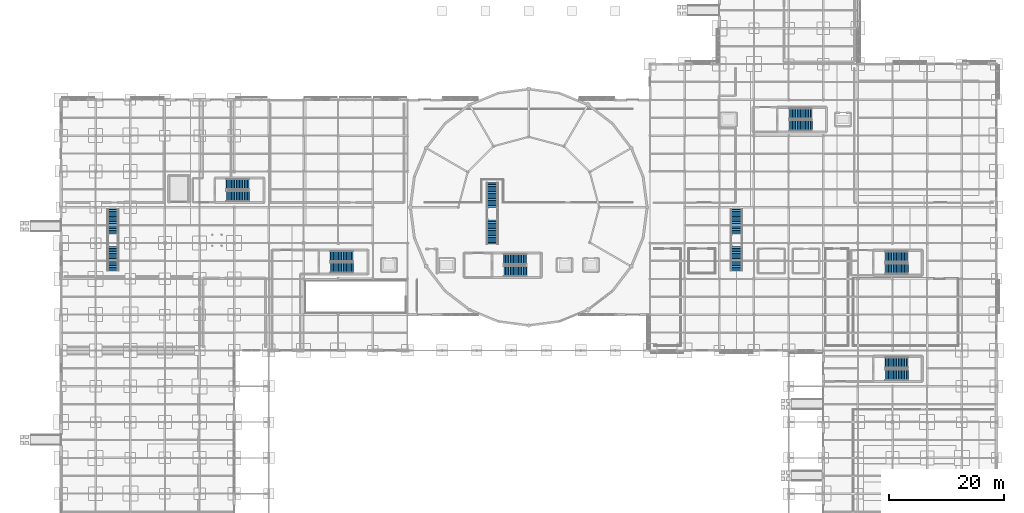
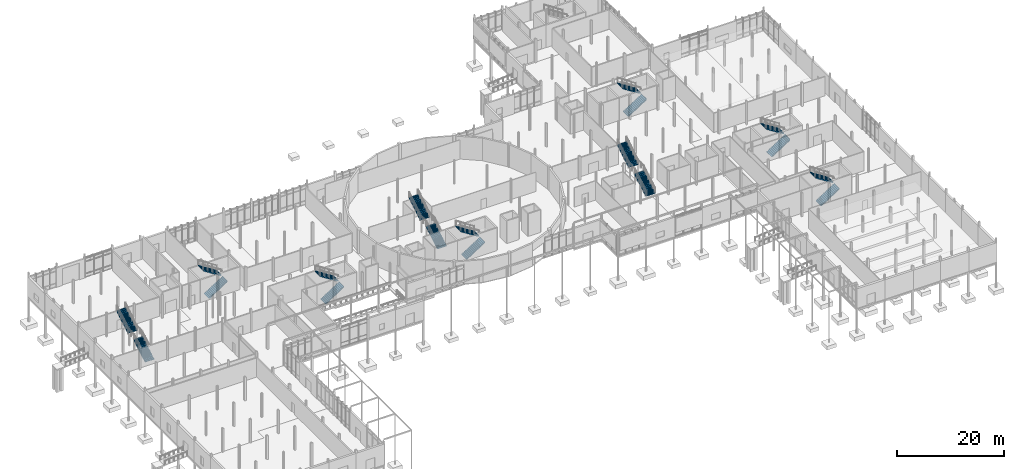
# One storey, part 75 of 98: 18 stair flights, 9 elements without a shape of their own.
"""IFC4 building model written with IfcOpenShell, lengths in metres."""

from ifc_helpers import new_model, si_unit, direction, frame, origin, place, context, subcontext, project, spatial, polyline, outline, extrude, material, type_object, element, aggregate, save


model = new_model("IFC4")

# Units and contexts
model_context = context("Model", 3, precision=1e-05, world=origin(), true_north=direction((0.0, 1.0)))
body_context = subcontext(model_context, "Body", "Model", "MODEL_VIEW")
ifc_project = project(units=[si_unit("LENGTHUNIT", "METRE"), si_unit("AREAUNIT", "SQUARE_METRE"), si_unit("VOLUMEUNIT", "CUBIC_METRE"), si_unit("PLANEANGLEUNIT", "RADIAN"), si_unit("MASSUNIT", "GRAM", prefix="KILO")], contexts=[model_context])

# Site, building, storey
site_placement = place(None, origin())
site = spatial("IfcSite", under=ifc_project, at=site_placement, CompositionType="ELEMENT")
building_placement = place(site_placement, origin())
building = spatial("IfcBuilding", under=site, at=building_placement, Name="Mirzam Square Science Centre", CompositionType="ELEMENT")
storey_placement = place(building_placement, origin())
storey = spatial("IfcBuildingStorey", under=building, at=storey_placement, Name="L00", CompositionType="ELEMENT", Elevation=0.0)

# Stair, stair flights
ifc_material_1 = material(Name="Concrete C40/50", Category="concrete")
stair_type_1 = type_object("IfcStairType", Name="ST-CORE-1-540", PredefinedType="HALF_TURN_STAIR", material=ifc_material_1)
stair_1_placement = place(storey_placement, origin())
stair_1 = element("IfcStair", 1, at=stair_1_placement, inside=storey, type_object=stair_type_1, Name="L00 ST-01", PredefinedType="HALF_TURN_STAIR")
stair_flight_type_1 = type_object("IfcStairFlightType", Name="STF-CORE-1-30R", PredefinedType="STRAIGHT", material=ifc_material_1)
stair_flight_1_placement = place(storey_placement, frame((46.64990234375, 51.52490234375, 0.0), z_axis=(0.0, 0.0, 1.0), x_axis=(1.0, 0.0, 0.0)))
stair_flight_1 = element("IfcStairFlight", 2, at=stair_flight_1_placement, type_object=stair_flight_type_1, Name="ST-01 flight 1", NumberOfRisers=15, NumberOfTreads=14, PredefinedType="STRAIGHT", RiserHeight=0.18, TreadLength=0.28, context=body_context, shape_type="SweptSolid", body=[
    extrude(outline(polyline([(0.0, 0.0), (0.0, 0.179931640625), (0.280029296875, 0.179931640625), (0.280029296875, 0.360107421875), (0.56005859375, 0.360107421875), (0.56005859375, 0.5400390625), (0.840087890625, 0.5400390625), (0.840087890625, 0.719970703125), (1.1201171875, 0.719970703125), (1.1201171875, 0.89990234375), (1.39990234375, 0.89990234375), (1.39990234375, 1.080078125), (1.679931640625, 1.080078125), (1.679931640625, 1.260009765625), (1.9599609375, 1.260009765625), (1.9599609375, 1.43994140625), (2.239990234375, 1.43994140625), (2.239990234375, 1.6201171875), (2.52001953125, 1.6201171875), (2.52001953125, 1.800048828125), (2.800048828125, 1.800048828125), (2.800048828125, 1.97998046875), (3.080078125, 1.97998046875), (3.080078125, 2.159912109375), (3.360107421875, 2.159912109375), (3.360107421875, 2.340087890625), (3.639892578125, 2.340087890625), (3.639892578125, 2.52001953125), (3.919921875, 2.52001953125), (3.919921875, 2.699951171875), (4.0, 2.699951171875), (4.0, 2.550048828125), (3.919921875, 2.341796875), (0.277099609375, 0.0), (0.0, 0.0)])), frame((0.0, 0.925048828125, 0.0), z_axis=(0.0, -1.0, 0.0), x_axis=(1.0, 0.0, 0.0)), (0.0, 0.0, 1.0), 1.85009765625),
])
stair_flight_2_placement = place(storey_placement, frame((50.570068359375, 53.52490234375, 2.699951171875), z_axis=(0.0, 0.0, 1.0), x_axis=(-1.0, 0.0, 0.0)))
stair_flight_2 = element("IfcStairFlight", 3, at=stair_flight_2_placement, type_object=stair_flight_type_1, Name="ST-01 flight 2", NumberOfRisers=15, NumberOfTreads=14, PredefinedType="STRAIGHT", RiserHeight=0.18, TreadLength=0.28, context=body_context, shape_type="SweptSolid", body=[
    extrude(outline(polyline([(0.0, 0.0), (0.0, 0.179931640625), (0.280029296875, 0.179931640625), (0.280029296875, 0.360107421875), (0.56005859375, 0.360107421875), (0.56005859375, 0.5400390625), (0.840087890625, 0.5400390625), (0.840087890625, 0.719970703125), (1.1201171875, 0.719970703125), (1.1201171875, 0.89990234375), (1.39990234375, 0.89990234375), (1.39990234375, 1.080078125), (1.679931640625, 1.080078125), (1.679931640625, 1.260009765625), (1.9599609375, 1.260009765625), (1.9599609375, 1.43994140625), (2.239990234375, 1.43994140625), (2.239990234375, 1.6201171875), (2.52001953125, 1.6201171875), (2.52001953125, 1.800048828125), (2.800048828125, 1.800048828125), (2.800048828125, 1.97998046875), (3.080078125, 1.97998046875), (3.080078125, 2.159912109375), (3.360107421875, 2.159912109375), (3.360107421875, 2.340087890625), (3.639892578125, 2.340087890625), (3.639892578125, 2.52001953125), (3.919921875, 2.52001953125), (3.919921875, 2.699951171875), (4.0, 2.699951171875), (4.0, 2.550048828125), (3.919921875, 2.341796875), (0.277099609375, 0.0), (0.0, 0.0)])), frame((0.0, 0.925048828125, 0.0), z_axis=(0.0, -1.0, 0.0), x_axis=(1.0, 0.0, 0.0)), (0.0, 0.0, 1.0), 1.85009765625),
])
aggregate(stair_1, [stair_flight_1, stair_flight_2])

stair_type_2 = type_object("IfcStairType", Name="ST-CORE-2-540", PredefinedType="HALF_TURN_STAIR", material=ifc_material_1)
stair_2_placement = place(storey_placement, origin())
stair_2 = element("IfcStair", 4, at=stair_2_placement, inside=storey, type_object=stair_type_2, Name="L00 ST-02", PredefinedType="HALF_TURN_STAIR")
stair_flight_type_2 = type_object("IfcStairFlightType", Name="STF-CORE-2-30R", PredefinedType="STRAIGHT", material=ifc_material_1)
stair_flight_3_placement = place(storey_placement, frame((28.669921875, 63.93505859375, 0.0), z_axis=(0.0, 0.0, 1.0), x_axis=(1.0, 0.0, 0.0)))
stair_flight_3 = element("IfcStairFlight", 5, at=stair_flight_3_placement, type_object=stair_flight_type_2, Name="ST-02 flight 1", NumberOfRisers=15, NumberOfTreads=14, PredefinedType="STRAIGHT", RiserHeight=0.18, TreadLength=0.28, context=body_context, shape_type="SweptSolid", body=[
    extrude(outline(polyline([(0.0, 0.0), (0.0, 0.179931640625), (0.280029296875, 0.179931640625), (0.280029296875, 0.360107421875), (0.56005859375, 0.360107421875), (0.56005859375, 0.5400390625), (0.840087890625, 0.5400390625), (0.840087890625, 0.719970703125), (1.1201171875, 0.719970703125), (1.1201171875, 0.89990234375), (1.39990234375, 0.89990234375), (1.39990234375, 1.080078125), (1.679931640625, 1.080078125), (1.679931640625, 1.260009765625), (1.9599609375, 1.260009765625), (1.9599609375, 1.43994140625), (2.239990234375, 1.43994140625), (2.239990234375, 1.6201171875), (2.52001953125, 1.6201171875), (2.52001953125, 1.800048828125), (2.800048828125, 1.800048828125), (2.800048828125, 1.97998046875), (3.080078125, 1.97998046875), (3.080078125, 2.159912109375), (3.360107421875, 2.159912109375), (3.360107421875, 2.340087890625), (3.639892578125, 2.340087890625), (3.639892578125, 2.52001953125), (3.919921875, 2.52001953125), (3.919921875, 2.699951171875), (4.0, 2.699951171875), (4.0, 2.550048828125), (3.919921875, 2.341796875), (0.277099609375, 0.0), (0.0, 0.0)])), frame((0.0, 0.93505859375, 0.0), z_axis=(0.0, -1.0, 0.0), x_axis=(1.0, 0.0, 0.0)), (0.0, 0.0, 1.0), 1.8701171875),
])
stair_flight_4_placement = place(storey_placement, frame((32.590087890625, 65.955078125, 2.699951171875), z_axis=(0.0, 0.0, 1.0), x_axis=(-1.0, 0.0, 0.0)))
stair_flight_4 = element("IfcStairFlight", 6, at=stair_flight_4_placement, type_object=stair_flight_type_2, Name="ST-02 flight 2", NumberOfRisers=15, NumberOfTreads=14, PredefinedType="STRAIGHT", RiserHeight=0.18, TreadLength=0.28, context=body_context, shape_type="SweptSolid", body=[
    extrude(outline(polyline([(0.0, 0.0), (0.0, 0.179931640625), (0.280029296875, 0.179931640625), (0.280029296875, 0.360107421875), (0.56005859375, 0.360107421875), (0.56005859375, 0.5400390625), (0.840087890625, 0.5400390625), (0.840087890625, 0.719970703125), (1.1201171875, 0.719970703125), (1.1201171875, 0.89990234375), (1.39990234375, 0.89990234375), (1.39990234375, 1.080078125), (1.679931640625, 1.080078125), (1.679931640625, 1.260009765625), (1.9599609375, 1.260009765625), (1.9599609375, 1.43994140625), (2.239990234375, 1.43994140625), (2.239990234375, 1.6201171875), (2.52001953125, 1.6201171875), (2.52001953125, 1.800048828125), (2.800048828125, 1.800048828125), (2.800048828125, 1.97998046875), (3.080078125, 1.97998046875), (3.080078125, 2.159912109375), (3.360107421875, 2.159912109375), (3.360107421875, 2.340087890625), (3.639892578125, 2.340087890625), (3.639892578125, 2.52001953125), (3.919921875, 2.52001953125), (3.919921875, 2.699951171875), (4.0, 2.699951171875), (4.0, 2.550048828125), (3.919921875, 2.341796875), (0.277099609375, 0.0), (0.0, 0.0)])), frame((0.0, 0.93505859375, 0.0), z_axis=(0.0, -1.0, 0.0), x_axis=(1.0, 0.0, 0.0)), (0.0, 0.0, 1.0), 1.8701171875),
])
aggregate(stair_2, [stair_flight_3, stair_flight_4])

stair_type_3 = type_object("IfcStairType", Name="ST-CORE-3-540", PredefinedType="HALF_TURN_STAIR", material=ifc_material_1)
stair_3_placement = place(storey_placement, origin())
stair_3 = element("IfcStair", 7, at=stair_3_placement, inside=storey, type_object=stair_type_3, Name="L00 ST-03", PredefinedType="HALF_TURN_STAIR")
stair_flight_type_3 = type_object("IfcStairFlightType", Name="STF-CORE-3-30R", PredefinedType="STRAIGHT", material=ifc_material_1)
stair_flight_5_placement = place(storey_placement, frame((76.68994140625, 50.945068359375, 0.0), z_axis=(0.0, 0.0, 1.0), x_axis=(1.0, 0.0, 0.0)))
stair_flight_5 = element("IfcStairFlight", 8, at=stair_flight_5_placement, type_object=stair_flight_type_3, Name="ST-03 flight 1", NumberOfRisers=15, NumberOfTreads=14, PredefinedType="STRAIGHT", RiserHeight=0.18, TreadLength=0.28, context=body_context, shape_type="SweptSolid", body=[
    extrude(outline(polyline([(0.0, 0.0), (0.0, 0.179931640625), (0.280029296875, 0.179931640625), (0.280029296875, 0.360107421875), (0.56005859375, 0.360107421875), (0.56005859375, 0.5400390625), (0.840087890625, 0.5400390625), (0.840087890625, 0.719970703125), (1.1201171875, 0.719970703125), (1.1201171875, 0.89990234375), (1.39990234375, 0.89990234375), (1.39990234375, 1.080078125), (1.679931640625, 1.080078125), (1.679931640625, 1.260009765625), (1.9599609375, 1.260009765625), (1.9599609375, 1.43994140625), (2.239990234375, 1.43994140625), (2.239990234375, 1.6201171875), (2.52001953125, 1.6201171875), (2.52001953125, 1.800048828125), (2.800048828125, 1.800048828125), (2.800048828125, 1.97998046875), (3.080078125, 1.97998046875), (3.080078125, 2.159912109375), (3.360107421875, 2.159912109375), (3.360107421875, 2.340087890625), (3.639892578125, 2.340087890625), (3.639892578125, 2.52001953125), (3.919921875, 2.52001953125), (3.919921875, 2.699951171875), (4.0, 2.699951171875), (4.0, 2.550048828125), (3.919921875, 2.341796875), (0.277099609375, 0.0), (0.0, 0.0)])), frame((0.0, 0.94482421875, 0.0), z_axis=(0.0, -1.0, 0.0), x_axis=(1.0, 0.0, 0.0)), (0.0, 0.0, 1.0), 1.889892578125),
])
stair_flight_6_placement = place(storey_placement, frame((80.610107421875, 52.985107421875, 2.699951171875), z_axis=(0.0, 0.0, 1.0), x_axis=(-1.0, 0.0, 0.0)))
stair_flight_6 = element("IfcStairFlight", 9, at=stair_flight_6_placement, type_object=stair_flight_type_3, Name="ST-03 flight 2", NumberOfRisers=15, NumberOfTreads=14, PredefinedType="STRAIGHT", RiserHeight=0.18, TreadLength=0.28, context=body_context, shape_type="SweptSolid", body=[
    extrude(outline(polyline([(0.0, 0.0), (0.0, 0.179931640625), (0.280029296875, 0.179931640625), (0.280029296875, 0.360107421875), (0.56005859375, 0.360107421875), (0.56005859375, 0.5400390625), (0.840087890625, 0.5400390625), (0.840087890625, 0.719970703125), (1.1201171875, 0.719970703125), (1.1201171875, 0.89990234375), (1.39990234375, 0.89990234375), (1.39990234375, 1.080078125), (1.679931640625, 1.080078125), (1.679931640625, 1.260009765625), (1.9599609375, 1.260009765625), (1.9599609375, 1.43994140625), (2.239990234375, 1.43994140625), (2.239990234375, 1.6201171875), (2.52001953125, 1.6201171875), (2.52001953125, 1.800048828125), (2.800048828125, 1.800048828125), (2.800048828125, 1.97998046875), (3.080078125, 1.97998046875), (3.080078125, 2.159912109375), (3.360107421875, 2.159912109375), (3.360107421875, 2.340087890625), (3.639892578125, 2.340087890625), (3.639892578125, 2.52001953125), (3.919921875, 2.52001953125), (3.919921875, 2.699951171875), (4.0, 2.699951171875), (4.0, 2.550048828125), (3.919921875, 2.341796875), (0.277099609375, 0.0), (0.0, 0.0)])), frame((0.0, 0.94482421875, 0.0), z_axis=(0.0, -1.0, 0.0), x_axis=(1.0, 0.0, 0.0)), (0.0, 0.0, 1.0), 1.889892578125),
])
aggregate(stair_3, [stair_flight_5, stair_flight_6])

stair_type_4 = type_object("IfcStairType", Name="ST-CORE-4-540", PredefinedType="HALF_TURN_STAIR", material=ifc_material_1)
stair_4_placement = place(storey_placement, origin())
stair_4 = element("IfcStair", 10, at=stair_4_placement, inside=storey, type_object=stair_type_4, Name="L00 ST-04", PredefinedType="HALF_TURN_STAIR")
stair_flight_type_4 = type_object("IfcStairFlightType", Name="STF-CORE-4-30R", PredefinedType="STRAIGHT", material=ifc_material_1)
stair_flight_7_placement = place(storey_placement, frame((126.110107421875, 76.155029296875, 0.0), z_axis=(0.0, 0.0, 1.0), x_axis=(1.0, 0.0, 0.0)))
stair_flight_7 = element("IfcStairFlight", 11, at=stair_flight_7_placement, type_object=stair_flight_type_4, Name="ST-04 flight 1", NumberOfRisers=15, NumberOfTreads=14, PredefinedType="STRAIGHT", RiserHeight=0.18, TreadLength=0.28, context=body_context, shape_type="SweptSolid", body=[
    extrude(outline(polyline([(0.0, 0.0), (0.0, 0.179931640625), (0.280029296875, 0.179931640625), (0.280029296875, 0.360107421875), (0.56005859375, 0.360107421875), (0.56005859375, 0.5400390625), (0.840087890625, 0.5400390625), (0.840087890625, 0.719970703125), (1.1201171875, 0.719970703125), (1.1201171875, 0.89990234375), (1.39990234375, 0.89990234375), (1.39990234375, 1.080078125), (1.679931640625, 1.080078125), (1.679931640625, 1.260009765625), (1.9599609375, 1.260009765625), (1.9599609375, 1.43994140625), (2.239990234375, 1.43994140625), (2.239990234375, 1.6201171875), (2.52001953125, 1.6201171875), (2.52001953125, 1.800048828125), (2.800048828125, 1.800048828125), (2.800048828125, 1.97998046875), (3.080078125, 1.97998046875), (3.080078125, 2.159912109375), (3.360107421875, 2.159912109375), (3.360107421875, 2.340087890625), (3.639892578125, 2.340087890625), (3.639892578125, 2.52001953125), (3.919921875, 2.52001953125), (3.919921875, 2.699951171875), (4.0, 2.699951171875), (4.0, 2.550048828125), (3.919921875, 2.341796875), (0.277099609375, 0.0), (0.0, 0.0)])), frame((0.0, 0.955078125, 0.0), z_axis=(0.0, -1.0, 0.0), x_axis=(1.0, 0.0, 0.0)), (0.0, 0.0, 1.0), 1.909912109375),
])
stair_flight_8_placement = place(storey_placement, frame((130.030029296875, 78.215087890625, 2.699951171875), z_axis=(0.0, 0.0, 1.0), x_axis=(-1.0, 0.0, 0.0)))
stair_flight_8 = element("IfcStairFlight", 12, at=stair_flight_8_placement, type_object=stair_flight_type_4, Name="ST-04 flight 2", NumberOfRisers=15, NumberOfTreads=14, PredefinedType="STRAIGHT", RiserHeight=0.18, TreadLength=0.28, context=body_context, shape_type="SweptSolid", body=[
    extrude(outline(polyline([(0.0, 0.0), (0.0, 0.179931640625), (0.280029296875, 0.179931640625), (0.280029296875, 0.360107421875), (0.56005859375, 0.360107421875), (0.56005859375, 0.5400390625), (0.840087890625, 0.5400390625), (0.840087890625, 0.719970703125), (1.1201171875, 0.719970703125), (1.1201171875, 0.89990234375), (1.39990234375, 0.89990234375), (1.39990234375, 1.080078125), (1.679931640625, 1.080078125), (1.679931640625, 1.260009765625), (1.9599609375, 1.260009765625), (1.9599609375, 1.43994140625), (2.239990234375, 1.43994140625), (2.239990234375, 1.6201171875), (2.52001953125, 1.6201171875), (2.52001953125, 1.800048828125), (2.800048828125, 1.800048828125), (2.800048828125, 1.97998046875), (3.080078125, 1.97998046875), (3.080078125, 2.159912109375), (3.360107421875, 2.159912109375), (3.360107421875, 2.340087890625), (3.639892578125, 2.340087890625), (3.639892578125, 2.52001953125), (3.919921875, 2.52001953125), (3.919921875, 2.699951171875), (4.0, 2.699951171875), (4.0, 2.550048828125), (3.919921875, 2.341796875), (0.277099609375, 0.0), (0.0, 0.0)])), frame((0.0, 0.955078125, 0.0), z_axis=(0.0, -1.0, 0.0), x_axis=(1.0, 0.0, 0.0)), (0.0, 0.0, 1.0), 1.909912109375),
])
aggregate(stair_4, [stair_flight_7, stair_flight_8])

stair_type_5 = type_object("IfcStairType", Name="ST-CORE-5-540", PredefinedType="HALF_TURN_STAIR", material=ifc_material_1)
stair_5_placement = place(storey_placement, origin())
stair_5 = element("IfcStair", 13, at=stair_5_placement, inside=storey, type_object=stair_type_5, Name="L00 ST-05", PredefinedType="HALF_TURN_STAIR")
stair_flight_type_5 = type_object("IfcStairFlightType", Name="STF-CORE-5-30R", PredefinedType="STRAIGHT", material=ifc_material_1)
stair_flight_9_placement = place(storey_placement, frame((142.72998046875, 51.364990234375, 0.0), z_axis=(0.0, 0.0, 1.0), x_axis=(1.0, 0.0, 0.0)))
stair_flight_9 = element("IfcStairFlight", 14, at=stair_flight_9_placement, type_object=stair_flight_type_5, Name="ST-05 flight 1", NumberOfRisers=15, NumberOfTreads=14, PredefinedType="STRAIGHT", RiserHeight=0.18, TreadLength=0.28, context=body_context, shape_type="SweptSolid", body=[
    extrude(outline(polyline([(0.0, 0.0), (0.0, 0.179931640625), (0.280029296875, 0.179931640625), (0.280029296875, 0.360107421875), (0.56005859375, 0.360107421875), (0.56005859375, 0.5400390625), (0.840087890625, 0.5400390625), (0.840087890625, 0.719970703125), (1.1201171875, 0.719970703125), (1.1201171875, 0.89990234375), (1.39990234375, 0.89990234375), (1.39990234375, 1.080078125), (1.679931640625, 1.080078125), (1.679931640625, 1.260009765625), (1.9599609375, 1.260009765625), (1.9599609375, 1.43994140625), (2.239990234375, 1.43994140625), (2.239990234375, 1.6201171875), (2.52001953125, 1.6201171875), (2.52001953125, 1.800048828125), (2.800048828125, 1.800048828125), (2.800048828125, 1.97998046875), (3.080078125, 1.97998046875), (3.080078125, 2.159912109375), (3.360107421875, 2.159912109375), (3.360107421875, 2.340087890625), (3.639892578125, 2.340087890625), (3.639892578125, 2.52001953125), (3.919921875, 2.52001953125), (3.919921875, 2.699951171875), (4.0, 2.699951171875), (4.0, 2.550048828125), (3.919921875, 2.341796875), (0.277099609375, 0.0), (0.0, 0.0)])), frame((0.0, 0.96484375, 0.0), z_axis=(0.0, -1.0, 0.0), x_axis=(1.0, 0.0, 0.0)), (0.0, 0.0, 1.0), 1.929931640625),
])
stair_flight_10_placement = place(storey_placement, frame((146.64990234375, 53.445068359375, 2.699951171875), z_axis=(0.0, 0.0, 1.0), x_axis=(-1.0, 0.0, 0.0)))
stair_flight_10 = element("IfcStairFlight", 15, at=stair_flight_10_placement, type_object=stair_flight_type_5, Name="ST-05 flight 2", NumberOfRisers=15, NumberOfTreads=14, PredefinedType="STRAIGHT", RiserHeight=0.18, TreadLength=0.28, context=body_context, shape_type="SweptSolid", body=[
    extrude(outline(polyline([(0.0, 0.0), (0.0, 0.179931640625), (0.280029296875, 0.179931640625), (0.280029296875, 0.360107421875), (0.56005859375, 0.360107421875), (0.56005859375, 0.5400390625), (0.840087890625, 0.5400390625), (0.840087890625, 0.719970703125), (1.1201171875, 0.719970703125), (1.1201171875, 0.89990234375), (1.39990234375, 0.89990234375), (1.39990234375, 1.080078125), (1.679931640625, 1.080078125), (1.679931640625, 1.260009765625), (1.9599609375, 1.260009765625), (1.9599609375, 1.43994140625), (2.239990234375, 1.43994140625), (2.239990234375, 1.6201171875), (2.52001953125, 1.6201171875), (2.52001953125, 1.800048828125), (2.800048828125, 1.800048828125), (2.800048828125, 1.97998046875), (3.080078125, 1.97998046875), (3.080078125, 2.159912109375), (3.360107421875, 2.159912109375), (3.360107421875, 2.340087890625), (3.639892578125, 2.340087890625), (3.639892578125, 2.52001953125), (3.919921875, 2.52001953125), (3.919921875, 2.699951171875), (4.0, 2.699951171875), (4.0, 2.550048828125), (3.919921875, 2.341796875), (0.277099609375, 0.0), (0.0, 0.0)])), frame((0.0, 0.96484375, 0.0), z_axis=(0.0, -1.0, 0.0), x_axis=(1.0, 0.0, 0.0)), (0.0, 0.0, 1.0), 1.929931640625),
])
aggregate(stair_5, [stair_flight_9, stair_flight_10])

stair_type_6 = type_object("IfcStairType", Name="ST-CORE-6-540", PredefinedType="HALF_TURN_STAIR", material=ifc_material_1)
stair_6_placement = place(storey_placement, origin())
stair_6 = element("IfcStair", 16, at=stair_6_placement, inside=storey, type_object=stair_type_6, Name="L00 ST-06", PredefinedType="HALF_TURN_STAIR")
stair_flight_type_6 = type_object("IfcStairFlightType", Name="STF-CORE-6-30R", PredefinedType="STRAIGHT", material=ifc_material_1)
stair_flight_11_placement = place(storey_placement, frame((142.75, 32.97509765625, 0.0), z_axis=(0.0, 0.0, 1.0), x_axis=(1.0, 0.0, 0.0)))
stair_flight_11 = element("IfcStairFlight", 17, at=stair_flight_11_placement, type_object=stair_flight_type_6, Name="ST-06 flight 1", NumberOfRisers=15, NumberOfTreads=14, PredefinedType="STRAIGHT", RiserHeight=0.18, TreadLength=0.28, context=body_context, shape_type="SweptSolid", body=[
    extrude(outline(polyline([(0.0, 0.0), (0.0, 0.179931640625), (0.280029296875, 0.179931640625), (0.280029296875, 0.360107421875), (0.56005859375, 0.360107421875), (0.56005859375, 0.5400390625), (0.840087890625, 0.5400390625), (0.840087890625, 0.719970703125), (1.1201171875, 0.719970703125), (1.1201171875, 0.89990234375), (1.39990234375, 0.89990234375), (1.39990234375, 1.080078125), (1.679931640625, 1.080078125), (1.679931640625, 1.260009765625), (1.9599609375, 1.260009765625), (1.9599609375, 1.43994140625), (2.239990234375, 1.43994140625), (2.239990234375, 1.6201171875), (2.52001953125, 1.6201171875), (2.52001953125, 1.800048828125), (2.800048828125, 1.800048828125), (2.800048828125, 1.97998046875), (3.080078125, 1.97998046875), (3.080078125, 2.159912109375), (3.360107421875, 2.159912109375), (3.360107421875, 2.340087890625), (3.639892578125, 2.340087890625), (3.639892578125, 2.52001953125), (3.919921875, 2.52001953125), (3.919921875, 2.699951171875), (4.0, 2.699951171875), (4.0, 2.550048828125), (3.919921875, 2.341796875), (0.277099609375, 0.0), (0.0, 0.0)])), frame((0.0, 0.97509765625, 0.0), z_axis=(0.0, -1.0, 0.0), x_axis=(1.0, 0.0, 0.0)), (0.0, 0.0, 1.0), 1.949951171875),
])
stair_flight_12_placement = place(storey_placement, frame((146.669921875, 35.074951171875, 2.699951171875), z_axis=(0.0, 0.0, 1.0), x_axis=(-1.0, 0.0, 0.0)))
stair_flight_12 = element("IfcStairFlight", 18, at=stair_flight_12_placement, type_object=stair_flight_type_6, Name="ST-06 flight 2", NumberOfRisers=15, NumberOfTreads=14, PredefinedType="STRAIGHT", RiserHeight=0.18, TreadLength=0.28, context=body_context, shape_type="SweptSolid", body=[
    extrude(outline(polyline([(0.0, 0.0), (0.0, 0.179931640625), (0.280029296875, 0.179931640625), (0.280029296875, 0.360107421875), (0.56005859375, 0.360107421875), (0.56005859375, 0.5400390625), (0.840087890625, 0.5400390625), (0.840087890625, 0.719970703125), (1.1201171875, 0.719970703125), (1.1201171875, 0.89990234375), (1.39990234375, 0.89990234375), (1.39990234375, 1.080078125), (1.679931640625, 1.080078125), (1.679931640625, 1.260009765625), (1.9599609375, 1.260009765625), (1.9599609375, 1.43994140625), (2.239990234375, 1.43994140625), (2.239990234375, 1.6201171875), (2.52001953125, 1.6201171875), (2.52001953125, 1.800048828125), (2.800048828125, 1.800048828125), (2.800048828125, 1.97998046875), (3.080078125, 1.97998046875), (3.080078125, 2.159912109375), (3.360107421875, 2.159912109375), (3.360107421875, 2.340087890625), (3.639892578125, 2.340087890625), (3.639892578125, 2.52001953125), (3.919921875, 2.52001953125), (3.919921875, 2.699951171875), (4.0, 2.699951171875), (4.0, 2.550048828125), (3.919921875, 2.341796875), (0.277099609375, 0.0), (0.0, 0.0)])), frame((0.0, 0.97509765625, 0.0), z_axis=(0.0, -1.0, 0.0), x_axis=(1.0, 0.0, 0.0)), (0.0, 0.0, 1.0), 1.949951171875),
])
aggregate(stair_6, [stair_flight_11, stair_flight_12])

ifc_material_2 = material(Name="Steel S355 and Honed Limestone Tread Stair", Category="masonry")
stair_type_7 = type_object("IfcStairType", Name="ST-FEAT-10", PredefinedType="STRAIGHT_RUN_STAIR", material=ifc_material_2)
stair_7_placement = place(storey_placement, origin())
stair_7 = element("IfcStair", 19, at=stair_7_placement, inside=storey, type_object=stair_type_7, Name="L00 feature gallery stair ST-10", PredefinedType="STRAIGHT_RUN_STAIR")
stair_flight_type_7 = type_object("IfcStairFlightType", Name="STF-FEAT-10", PredefinedType="STRAIGHT", material=ifc_material_2)
stair_flight_13_placement = place(storey_placement, frame((117.0, 51.0, 0.0), z_axis=(0.0, 0.0, 1.0), x_axis=(0.0, 1.0, 0.0)))
stair_flight_13 = element("IfcStairFlight", 20, at=stair_flight_13_placement, type_object=stair_flight_type_7, Name="ST-10 flight 1", NumberOfRisers=15, NumberOfTreads=14, PredefinedType="STRAIGHT", RiserHeight=0.18, TreadLength=0.3, context=body_context, shape_type="SweptSolid", body=[
    extrude(outline(polyline([(0.0, 0.0), (0.0, 0.179931640625), (0.300048828125, 0.179931640625), (0.300048828125, 0.360107421875), (0.60009765625, 0.360107421875), (0.60009765625, 0.5400390625), (0.89990234375, 0.5400390625), (0.89990234375, 0.719970703125), (1.199951171875, 0.719970703125), (1.199951171875, 0.89990234375), (1.5, 0.89990234375), (1.5, 1.080078125), (1.800048828125, 1.080078125), (1.800048828125, 1.260009765625), (2.10009765625, 1.260009765625), (2.10009765625, 1.43994140625), (2.39990234375, 1.43994140625), (2.39990234375, 1.6201171875), (2.699951171875, 1.6201171875), (2.699951171875, 1.800048828125), (3.0, 1.800048828125), (3.0, 1.97998046875), (3.300048828125, 1.97998046875), (3.300048828125, 2.159912109375), (3.60009765625, 2.159912109375), (3.60009765625, 2.340087890625), (3.89990234375, 2.340087890625), (3.89990234375, 2.52001953125), (4.199951171875, 2.52001953125), (4.199951171875, 2.699951171875), (4.280029296875, 2.699951171875), (4.280029296875, 2.5400390625), (4.199951171875, 2.33349609375), (0.310791015625, 0.0), (0.0, 0.0)])), frame((0.0, 1.02490234375, 0.0), z_axis=(0.0, -1.0, 0.0), x_axis=(1.0, 0.0, 0.0)), (0.0, 0.0, 1.0), 2.050048828125),
])
stair_flight_14_placement = place(storey_placement, frame((117.0, 57.39990234375, 2.699951171875), z_axis=(0.0, 0.0, 1.0), x_axis=(0.0, 1.0, 0.0)))
stair_flight_14 = element("IfcStairFlight", 21, at=stair_flight_14_placement, type_object=stair_flight_type_7, Name="ST-10 flight 2", NumberOfRisers=15, NumberOfTreads=14, PredefinedType="STRAIGHT", RiserHeight=0.18, TreadLength=0.3, context=body_context, shape_type="SweptSolid", body=[
    extrude(outline(polyline([(0.0, 0.0), (0.0, 0.179931640625), (0.300048828125, 0.179931640625), (0.300048828125, 0.360107421875), (0.60009765625, 0.360107421875), (0.60009765625, 0.5400390625), (0.89990234375, 0.5400390625), (0.89990234375, 0.719970703125), (1.199951171875, 0.719970703125), (1.199951171875, 0.89990234375), (1.5, 0.89990234375), (1.5, 1.080078125), (1.800048828125, 1.080078125), (1.800048828125, 1.260009765625), (2.10009765625, 1.260009765625), (2.10009765625, 1.43994140625), (2.39990234375, 1.43994140625), (2.39990234375, 1.6201171875), (2.699951171875, 1.6201171875), (2.699951171875, 1.800048828125), (3.0, 1.800048828125), (3.0, 1.97998046875), (3.300048828125, 1.97998046875), (3.300048828125, 2.159912109375), (3.60009765625, 2.159912109375), (3.60009765625, 2.340087890625), (3.89990234375, 2.340087890625), (3.89990234375, 2.52001953125), (4.199951171875, 2.52001953125), (4.199951171875, 2.699951171875), (4.280029296875, 2.699951171875), (4.280029296875, 2.5400390625), (4.199951171875, 2.33349609375), (0.310791015625, 0.0), (0.0, 0.0)])), frame((0.0, 1.02490234375, 0.0), z_axis=(0.0, -1.0, 0.0), x_axis=(1.0, 0.0, 0.0)), (0.0, 0.0, 1.0), 2.050048828125),
])
aggregate(stair_7, [stair_flight_13, stair_flight_14])

stair_type_8 = type_object("IfcStairType", Name="ST-FEAT-7", PredefinedType="STRAIGHT_RUN_STAIR", material=ifc_material_2)
stair_8_placement = place(storey_placement, origin())
stair_8 = element("IfcStair", 22, at=stair_8_placement, inside=storey, type_object=stair_type_8, Name="L00 feature gallery stair ST-07", PredefinedType="STRAIGHT_RUN_STAIR")
stair_flight_type_8 = type_object("IfcStairFlightType", Name="STF-FEAT-7", PredefinedType="STRAIGHT", material=ifc_material_2)
stair_flight_15_placement = place(storey_placement, frame((74.699951171875, 55.60009765625, 0.0), z_axis=(0.0, 0.0, 1.0), x_axis=(0.0, 1.0, 0.0)))
stair_flight_15 = element("IfcStairFlight", 23, at=stair_flight_15_placement, type_object=stair_flight_type_8, Name="ST-07 flight 1", NumberOfRisers=15, NumberOfTreads=14, PredefinedType="STRAIGHT", RiserHeight=0.18, TreadLength=0.3, context=body_context, shape_type="SweptSolid", body=[
    extrude(outline(polyline([(0.0, 0.0), (0.0, 0.179931640625), (0.300048828125, 0.179931640625), (0.300048828125, 0.360107421875), (0.60009765625, 0.360107421875), (0.60009765625, 0.5400390625), (0.89990234375, 0.5400390625), (0.89990234375, 0.719970703125), (1.199951171875, 0.719970703125), (1.199951171875, 0.89990234375), (1.5, 0.89990234375), (1.5, 1.080078125), (1.800048828125, 1.080078125), (1.800048828125, 1.260009765625), (2.10009765625, 1.260009765625), (2.10009765625, 1.43994140625), (2.39990234375, 1.43994140625), (2.39990234375, 1.6201171875), (2.699951171875, 1.6201171875), (2.699951171875, 1.800048828125), (3.0, 1.800048828125), (3.0, 1.97998046875), (3.300048828125, 1.97998046875), (3.300048828125, 2.159912109375), (3.60009765625, 2.159912109375), (3.60009765625, 2.340087890625), (3.89990234375, 2.340087890625), (3.89990234375, 2.52001953125), (4.199951171875, 2.52001953125), (4.199951171875, 2.699951171875), (4.280029296875, 2.699951171875), (4.280029296875, 2.5400390625), (4.199951171875, 2.33349609375), (0.310791015625, 0.0), (0.0, 0.0)])), frame((0.0, 1.0, 0.0), z_axis=(0.0, -1.0, 0.0), x_axis=(1.0, 0.0, 0.0)), (0.0, 0.0, 1.0), 2.0),
])
stair_flight_16_placement = place(storey_placement, frame((74.699951171875, 62.0, 2.699951171875), z_axis=(0.0, 0.0, 1.0), x_axis=(0.0, 1.0, 0.0)))
stair_flight_16 = element("IfcStairFlight", 24, at=stair_flight_16_placement, type_object=stair_flight_type_8, Name="ST-07 flight 2", NumberOfRisers=15, NumberOfTreads=14, PredefinedType="STRAIGHT", RiserHeight=0.18, TreadLength=0.3, context=body_context, shape_type="SweptSolid", body=[
    extrude(outline(polyline([(0.0, 0.0), (0.0, 0.179931640625), (0.300048828125, 0.179931640625), (0.300048828125, 0.360107421875), (0.60009765625, 0.360107421875), (0.60009765625, 0.5400390625), (0.89990234375, 0.5400390625), (0.89990234375, 0.719970703125), (1.199951171875, 0.719970703125), (1.199951171875, 0.89990234375), (1.5, 0.89990234375), (1.5, 1.080078125), (1.800048828125, 1.080078125), (1.800048828125, 1.260009765625), (2.10009765625, 1.260009765625), (2.10009765625, 1.43994140625), (2.39990234375, 1.43994140625), (2.39990234375, 1.6201171875), (2.699951171875, 1.6201171875), (2.699951171875, 1.800048828125), (3.0, 1.800048828125), (3.0, 1.97998046875), (3.300048828125, 1.97998046875), (3.300048828125, 2.159912109375), (3.60009765625, 2.159912109375), (3.60009765625, 2.340087890625), (3.89990234375, 2.340087890625), (3.89990234375, 2.52001953125), (4.199951171875, 2.52001953125), (4.199951171875, 2.699951171875), (4.280029296875, 2.699951171875), (4.280029296875, 2.5400390625), (4.199951171875, 2.33349609375), (0.310791015625, 0.0), (0.0, 0.0)])), frame((0.0, 1.0, 0.0), z_axis=(0.0, -1.0, 0.0), x_axis=(1.0, 0.0, 0.0)), (0.0, 0.0, 1.0), 2.0),
])
aggregate(stair_8, [stair_flight_15, stair_flight_16])

stair_type_9 = type_object("IfcStairType", Name="ST-FEAT-8", PredefinedType="STRAIGHT_RUN_STAIR", material=ifc_material_2)
stair_9_placement = place(storey_placement, origin())
stair_9 = element("IfcStair", 25, at=stair_9_placement, inside=storey, type_object=stair_type_9, Name="L00 feature gallery stair ST-08", PredefinedType="STRAIGHT_RUN_STAIR")
stair_flight_type_9 = type_object("IfcStairFlightType", Name="STF-FEAT-8", PredefinedType="STRAIGHT", material=ifc_material_2)
stair_flight_17_placement = place(storey_placement, frame((9.0, 51.0, 0.0), z_axis=(0.0, 0.0, 1.0), x_axis=(0.0, 1.0, 0.0)))
stair_flight_17 = element("IfcStairFlight", 26, at=stair_flight_17_placement, type_object=stair_flight_type_9, Name="ST-08 flight 1", NumberOfRisers=15, NumberOfTreads=14, PredefinedType="STRAIGHT", RiserHeight=0.18, TreadLength=0.3, context=body_context, shape_type="SweptSolid", body=[
    extrude(outline(polyline([(0.0, 0.0), (0.0, 0.179931640625), (0.300048828125, 0.179931640625), (0.300048828125, 0.360107421875), (0.60009765625, 0.360107421875), (0.60009765625, 0.5400390625), (0.89990234375, 0.5400390625), (0.89990234375, 0.719970703125), (1.199951171875, 0.719970703125), (1.199951171875, 0.89990234375), (1.5, 0.89990234375), (1.5, 1.080078125), (1.800048828125, 1.080078125), (1.800048828125, 1.260009765625), (2.10009765625, 1.260009765625), (2.10009765625, 1.43994140625), (2.39990234375, 1.43994140625), (2.39990234375, 1.6201171875), (2.699951171875, 1.6201171875), (2.699951171875, 1.800048828125), (3.0, 1.800048828125), (3.0, 1.97998046875), (3.300048828125, 1.97998046875), (3.300048828125, 2.159912109375), (3.60009765625, 2.159912109375), (3.60009765625, 2.340087890625), (3.89990234375, 2.340087890625), (3.89990234375, 2.52001953125), (4.199951171875, 2.52001953125), (4.199951171875, 2.699951171875), (4.280029296875, 2.699951171875), (4.280029296875, 2.5400390625), (4.199951171875, 2.33349609375), (0.310791015625, 0.0), (0.0, 0.0)])), frame((0.0, 0.97509765625, 0.0), z_axis=(0.0, -1.0, 0.0), x_axis=(1.0, 0.0, 0.0)), (0.0, 0.0, 1.0), 1.949951171875),
])
stair_flight_18_placement = place(storey_placement, frame((9.0, 57.39990234375, 2.699951171875), z_axis=(0.0, 0.0, 1.0), x_axis=(0.0, 1.0, 0.0)))
stair_flight_18 = element("IfcStairFlight", 27, at=stair_flight_18_placement, type_object=stair_flight_type_9, Name="ST-08 flight 2", NumberOfRisers=15, NumberOfTreads=14, PredefinedType="STRAIGHT", RiserHeight=0.18, TreadLength=0.3, context=body_context, shape_type="SweptSolid", body=[
    extrude(outline(polyline([(0.0, 0.0), (0.0, 0.179931640625), (0.300048828125, 0.179931640625), (0.300048828125, 0.360107421875), (0.60009765625, 0.360107421875), (0.60009765625, 0.5400390625), (0.89990234375, 0.5400390625), (0.89990234375, 0.719970703125), (1.199951171875, 0.719970703125), (1.199951171875, 0.89990234375), (1.5, 0.89990234375), (1.5, 1.080078125), (1.800048828125, 1.080078125), (1.800048828125, 1.260009765625), (2.10009765625, 1.260009765625), (2.10009765625, 1.43994140625), (2.39990234375, 1.43994140625), (2.39990234375, 1.6201171875), (2.699951171875, 1.6201171875), (2.699951171875, 1.800048828125), (3.0, 1.800048828125), (3.0, 1.97998046875), (3.300048828125, 1.97998046875), (3.300048828125, 2.159912109375), (3.60009765625, 2.159912109375), (3.60009765625, 2.340087890625), (3.89990234375, 2.340087890625), (3.89990234375, 2.52001953125), (4.199951171875, 2.52001953125), (4.199951171875, 2.699951171875), (4.280029296875, 2.699951171875), (4.280029296875, 2.5400390625), (4.199951171875, 2.33349609375), (0.310791015625, 0.0), (0.0, 0.0)])), frame((0.0, 0.97509765625, 0.0), z_axis=(0.0, -1.0, 0.0), x_axis=(1.0, 0.0, 0.0)), (0.0, 0.0, 1.0), 1.949951171875),
])
aggregate(stair_9, [stair_flight_17, stair_flight_18])

save(model, "model.ifc")
